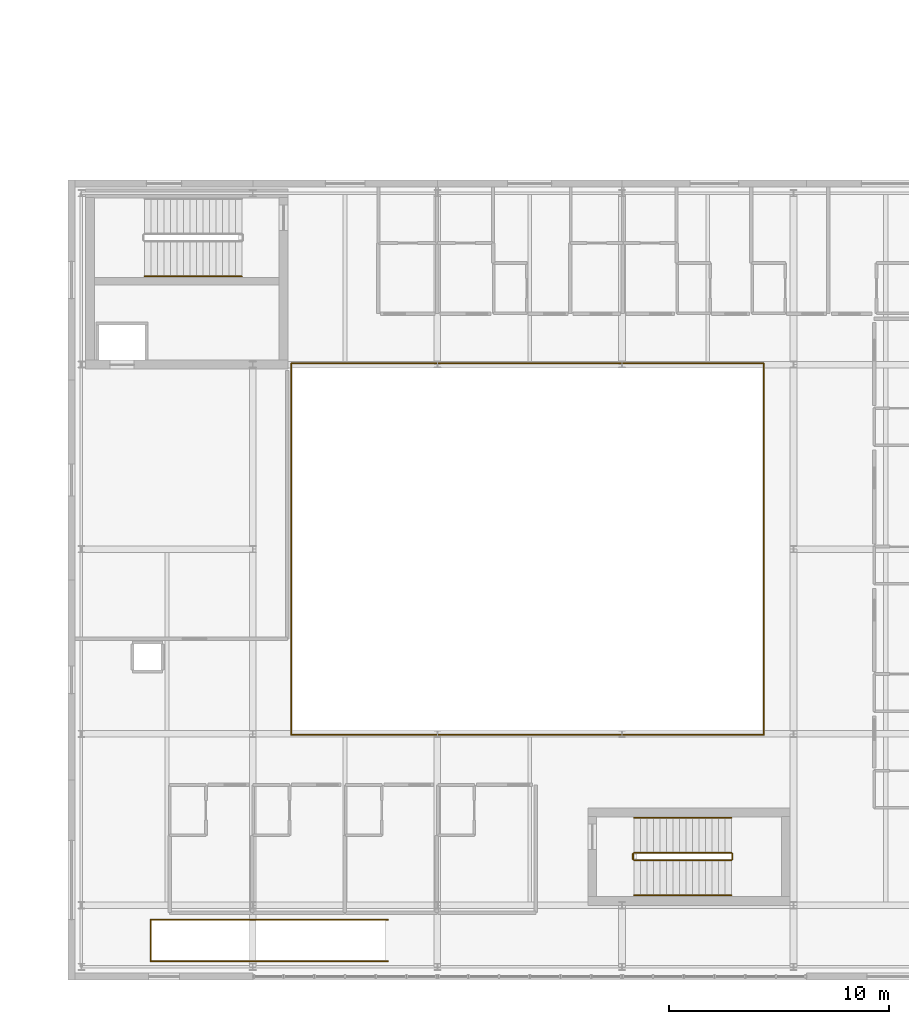
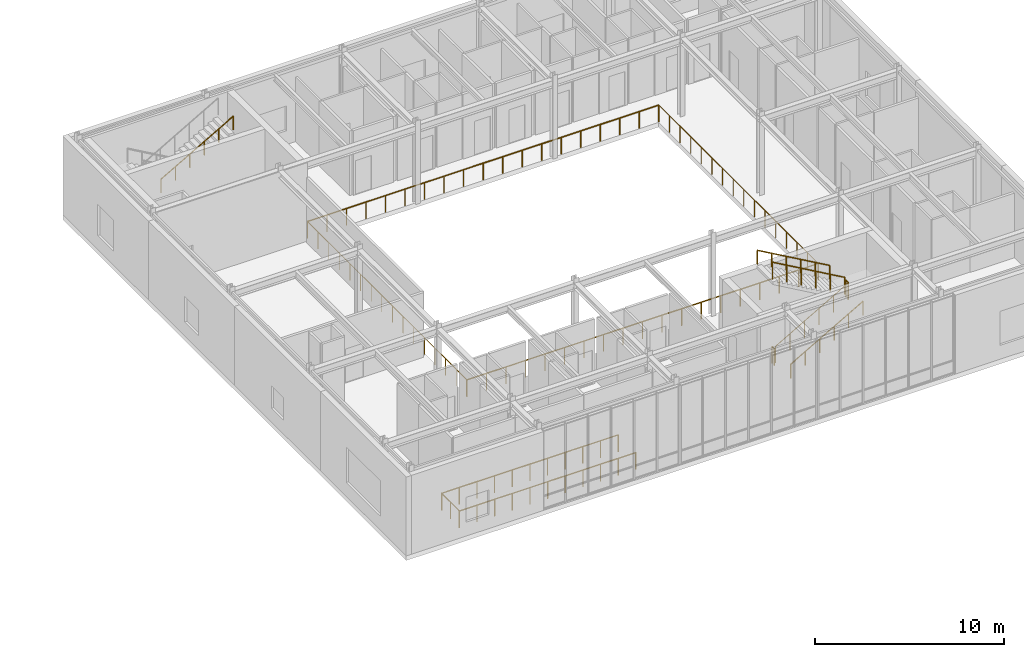
# One storey, part 135 of 139: 14 railings.
"""IFC4 building model written with IfcOpenShell, lengths in metres."""

from ifc_helpers import new_model, si_unit, direction, frame, origin, origin_2d, place, context, subcontext, project, spatial, circle, extrude, material, type_object, element, save


model = new_model("IFC4")

# Units and contexts
model_context = context("Model", 3, precision=1e-05, world=origin(), true_north=direction((0.0, 1.0)))
body_context = subcontext(model_context, "Body", "Model", "MODEL_VIEW")
ifc_project = project(units=[si_unit("LENGTHUNIT", "METRE"), si_unit("AREAUNIT", "SQUARE_METRE"), si_unit("VOLUMEUNIT", "CUBIC_METRE"), si_unit("PLANEANGLEUNIT", "RADIAN"), si_unit("MASSUNIT", "GRAM", prefix="KILO")], contexts=[model_context])

# Site, building, storey
site_placement = place(None, origin())
site = spatial("IfcSite", under=ifc_project, at=site_placement, CompositionType="ELEMENT")
building_placement = place(site_placement, origin())
building = spatial("IfcBuilding", under=site, at=building_placement, Name="Zayran Congress Hotel", CompositionType="ELEMENT")
storey_placement = place(building_placement, frame((0.0, 0.0, 5.39990234375)))
storey = spatial("IfcBuildingStorey", under=building, at=storey_placement, Name="L01", CompositionType="ELEMENT", Elevation=5.39990234375)

# Railings
ifc_material_1 = material(Name="Painted steel balustrade", Category="steel")
railing_type_1 = type_object("IfcRailingType", Name="TP-GRD-INT", PredefinedType="GUARDRAIL", material=ifc_material_1)
railing_1_placement = place(storey_placement, frame((176.949951171875, 11.449951171875, 0.1689453125)))
element("IfcRailing", 1, at=railing_1_placement, inside=storey, type_object=railing_type_1, Name="L01 ST-12 stair guard 1", PredefinedType="GUARDRAIL", context=body_context, shape_type="SweptSolid", body=[
    extrude(circle(Radius=0.02392578125, at=origin_2d()), frame((0.0, 0.0, 1.076171875), z_axis=(0.868019072493, 0.0, 0.49653085482), x_axis=(0.0, 1.0, 0.0)), (0.0, 0.0, 1.0), 5.097900390625),
    extrude(circle(Radius=0.02099609375, at=origin_2d()), origin(), (0.0, 0.0, 1.0), 1.052001953125),
    extrude(circle(Radius=0.02099609375, at=origin_2d()), frame((0.885009765625, 0.0, 0.50634765625)), (0.0, 0.0, 1.0), 1.052001953125),
    extrude(circle(Radius=0.02099609375, at=origin_2d()), frame((1.77001953125, 0.0, 1.012451171875)), (0.0, 0.0, 1.0), 1.052001953125),
    extrude(circle(Radius=0.02099609375, at=origin_2d()), frame((2.655029296875, 0.0, 1.518798828125)), (0.0, 0.0, 1.0), 1.052001953125),
    extrude(circle(Radius=0.02099609375, at=origin_2d()), frame((3.5400390625, 0.0, 2.02490234375)), (0.0, 0.0, 1.0), 1.052001953125),
    extrude(circle(Radius=0.02099609375, at=origin_2d()), frame((4.425048828125, 0.0, 2.53125)), (0.0, 0.0, 1.0), 1.052001953125),
])
railing_2_placement = place(storey_placement, frame((181.425048828125, 11.5, 2.7001953125)))
element("IfcRailing", 2, at=railing_2_placement, inside=storey, type_object=railing_type_1, Name="L01 ST-12 stair guard 2", PredefinedType="GUARDRAIL", context=body_context, shape_type="SweptSolid", body=[
    extrude(circle(Radius=0.02392578125, at=origin_2d()), frame((0.0, 0.0, 1.076171875), z_axis=(0.0, 1.0, 0.0), x_axis=(-1.0, 0.0, 0.0)), (0.0, 0.0, 1.0), 0.239990234375),
    extrude(circle(Radius=0.02099609375, at=origin_2d()), origin(), (0.0, 0.0, 1.0), 1.052001953125),
    extrude(circle(Radius=0.02099609375, at=origin_2d()), frame((0.0, 0.239990234375, 0.0)), (0.0, 0.0, 1.0), 1.052001953125),
])
railing_3_placement = place(storey_placement, frame((181.375, 11.7900390625, 2.868896484375)))
element("IfcRailing", 3, at=railing_3_placement, inside=storey, type_object=railing_type_1, Name="L01 ST-12 stair guard 3", PredefinedType="GUARDRAIL", context=body_context, shape_type="SweptSolid", body=[
    extrude(circle(Radius=0.02392578125, at=origin_2d()), frame((0.0, 0.0, 1.076171875), z_axis=(-0.868019072493, 0.0, 0.49653085482), x_axis=(0.0, -1.0, 0.0)), (0.0, 0.0, 1.0), 5.097900390625),
    extrude(circle(Radius=0.02099609375, at=origin_2d()), origin(), (0.0, 0.0, 1.0), 1.052001953125),
    extrude(circle(Radius=0.02099609375, at=origin_2d()), frame((-0.885009765625, 0.0, 0.50634765625)), (0.0, 0.0, 1.0), 1.052001953125),
    extrude(circle(Radius=0.02099609375, at=origin_2d()), frame((-1.77001953125, 0.0, 1.012451171875)), (0.0, 0.0, 1.0), 1.052001953125),
    extrude(circle(Radius=0.02099609375, at=origin_2d()), frame((-2.655029296875, 0.0, 1.518798828125)), (0.0, 0.0, 1.0), 1.052001953125),
    extrude(circle(Radius=0.02099609375, at=origin_2d()), frame((-3.5400390625, 0.0, 2.02490234375)), (0.0, 0.0, 1.0), 1.052001953125),
    extrude(circle(Radius=0.02099609375, at=origin_2d()), frame((-4.425048828125, 0.0, 2.53125)), (0.0, 0.0, 1.0), 1.052001953125),
])
railing_4_placement = place(storey_placement, frame((176.89990234375, 11.5, 0.0)))
element("IfcRailing", 4, at=railing_4_placement, inside=storey, type_object=railing_type_1, Name="L01 ST-12 stair guard 4", PredefinedType="GUARDRAIL", context=body_context, shape_type="SweptSolid", body=[
    extrude(circle(Radius=0.02392578125, at=origin_2d()), frame((0.0, 0.0, 1.076171875), z_axis=(0.0, 1.0, 0.0), x_axis=(-1.0, 0.0, 0.0)), (0.0, 0.0, 1.0), 0.239990234375),
    extrude(circle(Radius=0.02099609375, at=origin_2d()), origin(), (0.0, 0.0, 1.0), 1.052001953125),
    extrude(circle(Radius=0.02099609375, at=origin_2d()), frame((0.0, 0.239990234375, 0.0)), (0.0, 0.0, 1.0), 1.052001953125),
])
railing_5_placement = place(storey_placement, frame((165.75, 8.739990234375, 0.0)))
element("IfcRailing", 5, at=railing_5_placement, inside=storey, type_object=railing_type_1, Name="GRD-VOMWELL-05-WL", PredefinedType="GUARDRAIL", context=body_context, shape_type="SweptSolid", body=[
    extrude(circle(Radius=0.02392578125, at=origin_2d()), frame((0.0, 0.0, 1.076171875), z_axis=(-1.0, 0.0, 0.0), x_axis=(0.0, -1.0, 0.0)), (0.0, 0.0, 1.0), 10.800048828125),
    extrude(circle(Radius=0.02099609375, at=origin_2d()), origin(), (0.0, 0.0, 1.0), 1.052001953125),
    extrude(circle(Radius=0.02099609375, at=origin_2d()), frame((-1.080078125, 0.0, 0.0)), (0.0, 0.0, 1.0), 1.052001953125),
    extrude(circle(Radius=0.02099609375, at=origin_2d()), frame((-2.159912109375, 0.0, 0.0)), (0.0, 0.0, 1.0), 1.052001953125),
    extrude(circle(Radius=0.02099609375, at=origin_2d()), frame((-3.239990234375, 0.0, 0.0)), (0.0, 0.0, 1.0), 1.052001953125),
    extrude(circle(Radius=0.02099609375, at=origin_2d()), frame((-4.320068359375, 0.0, 0.0)), (0.0, 0.0, 1.0), 1.052001953125),
    extrude(circle(Radius=0.02099609375, at=origin_2d()), frame((-5.39990234375, 0.0, 0.0)), (0.0, 0.0, 1.0), 1.052001953125),
    extrude(circle(Radius=0.02099609375, at=origin_2d()), frame((-6.47998046875, 0.0, 0.0)), (0.0, 0.0, 1.0), 1.052001953125),
    extrude(circle(Radius=0.02099609375, at=origin_2d()), frame((-7.56005859375, 0.0, 0.0)), (0.0, 0.0, 1.0), 1.052001953125),
    extrude(circle(Radius=0.02099609375, at=origin_2d()), frame((-8.64013671875, 0.0, 0.0)), (0.0, 0.0, 1.0), 1.052001953125),
    extrude(circle(Radius=0.02099609375, at=origin_2d()), frame((-9.719970703125, 0.0, 0.0)), (0.0, 0.0, 1.0), 1.052001953125),
    extrude(circle(Radius=0.02099609375, at=origin_2d()), frame((-10.800048828125, 0.0, 0.0)), (0.0, 0.0, 1.0), 1.052001953125),
])
railing_6_placement = place(storey_placement, frame((154.949951171875, 8.739990234375, 0.0)))
element("IfcRailing", 6, at=railing_6_placement, inside=storey, type_object=railing_type_1, Name="GRD-VOMWELL-05-WB", PredefinedType="GUARDRAIL", context=body_context, shape_type="SweptSolid", body=[
    extrude(circle(Radius=0.02392578125, at=origin_2d()), frame((0.0, 0.0, 1.076171875), z_axis=(0.0, -1.0, 0.0), x_axis=(1.0, 0.0, 0.0)), (0.0, 0.0, 1.0), 1.8798828125),
    extrude(circle(Radius=0.02099609375, at=origin_2d()), origin(), (0.0, 0.0, 1.0), 1.052001953125),
    extrude(circle(Radius=0.02099609375, at=origin_2d()), frame((0.0, -0.93994140625, 0.0)), (0.0, 0.0, 1.0), 1.052001953125),
    extrude(circle(Radius=0.02099609375, at=origin_2d()), frame((0.0, -1.8798828125, 0.0)), (0.0, 0.0, 1.0), 1.052001953125),
])
railing_7_placement = place(storey_placement, frame((154.949951171875, 6.860107421875, 0.0)))
element("IfcRailing", 7, at=railing_7_placement, inside=storey, type_object=railing_type_1, Name="GRD-VOMWELL-05-WR", PredefinedType="GUARDRAIL", context=body_context, shape_type="SweptSolid", body=[
    extrude(circle(Radius=0.02392578125, at=origin_2d()), frame((0.0, 0.0, 1.076171875), z_axis=(1.0, 0.0, 0.0), x_axis=(0.0, 1.0, 0.0)), (0.0, 0.0, 1.0), 10.800048828125),
    extrude(circle(Radius=0.02099609375, at=origin_2d()), origin(), (0.0, 0.0, 1.0), 1.052001953125),
    extrude(circle(Radius=0.02099609375, at=origin_2d()), frame((1.080078125, 0.0, 0.0)), (0.0, 0.0, 1.0), 1.052001953125),
    extrude(circle(Radius=0.02099609375, at=origin_2d()), frame((2.159912109375, 0.0, 0.0)), (0.0, 0.0, 1.0), 1.052001953125),
    extrude(circle(Radius=0.02099609375, at=origin_2d()), frame((3.239990234375, 0.0, 0.0)), (0.0, 0.0, 1.0), 1.052001953125),
    extrude(circle(Radius=0.02099609375, at=origin_2d()), frame((4.320068359375, 0.0, 0.0)), (0.0, 0.0, 1.0), 1.052001953125),
    extrude(circle(Radius=0.02099609375, at=origin_2d()), frame((5.39990234375, 0.0, 0.0)), (0.0, 0.0, 1.0), 1.052001953125),
    extrude(circle(Radius=0.02099609375, at=origin_2d()), frame((6.47998046875, 0.0, 0.0)), (0.0, 0.0, 1.0), 1.052001953125),
    extrude(circle(Radius=0.02099609375, at=origin_2d()), frame((7.56005859375, 0.0, 0.0)), (0.0, 0.0, 1.0), 1.052001953125),
    extrude(circle(Radius=0.02099609375, at=origin_2d()), frame((8.64013671875, 0.0, 0.0)), (0.0, 0.0, 1.0), 1.052001953125),
    extrude(circle(Radius=0.02099609375, at=origin_2d()), frame((9.719970703125, 0.0, 0.0)), (0.0, 0.0, 1.0), 1.052001953125),
    extrude(circle(Radius=0.02099609375, at=origin_2d()), frame((10.800048828125, 0.0, 0.0)), (0.0, 0.0, 1.0), 1.052001953125),
])
railing_8_placement = place(storey_placement, frame((161.35009765625, 17.14990234375, 0.0)))
element("IfcRailing", 8, at=railing_8_placement, inside=storey, type_object=railing_type_1, Name="V3 L01 Interior Void Guardrail V3-L01-POL-S", PredefinedType="GUARDRAIL", context=body_context, shape_type="SweptSolid", body=[
    extrude(circle(Radius=0.02392578125, at=origin_2d()), frame((0.0, 0.0, 1.076171875), z_axis=(1.0, 0.0, 0.0), x_axis=(0.0, 1.0, 0.0)), (0.0, 0.0, 1.0), 21.5),
    extrude(circle(Radius=0.02099609375, at=origin_2d()), origin(), (0.0, 0.0, 1.0), 1.052001953125),
    extrude(circle(Radius=0.02099609375, at=origin_2d()), frame((1.1943359375, 0.0, 0.0)), (0.0, 0.0, 1.0), 1.052001953125),
    extrude(circle(Radius=0.02099609375, at=origin_2d()), frame((2.388916015625, 0.0, 0.0)), (0.0, 0.0, 1.0), 1.052001953125),
    extrude(circle(Radius=0.02099609375, at=origin_2d()), frame((3.583251953125, 0.0, 0.0)), (0.0, 0.0, 1.0), 1.052001953125),
    extrude(circle(Radius=0.02099609375, at=origin_2d()), frame((4.77783203125, 0.0, 0.0)), (0.0, 0.0, 1.0), 1.052001953125),
    extrude(circle(Radius=0.02099609375, at=origin_2d()), frame((5.97216796875, 0.0, 0.0)), (0.0, 0.0, 1.0), 1.052001953125),
    extrude(circle(Radius=0.02099609375, at=origin_2d()), frame((7.166748046875, 0.0, 0.0)), (0.0, 0.0, 1.0), 1.052001953125),
    extrude(circle(Radius=0.02099609375, at=origin_2d()), frame((8.361083984375, 0.0, 0.0)), (0.0, 0.0, 1.0), 1.052001953125),
    extrude(circle(Radius=0.02099609375, at=origin_2d()), frame((9.5556640625, 0.0, 0.0)), (0.0, 0.0, 1.0), 1.052001953125),
    extrude(circle(Radius=0.02099609375, at=origin_2d()), frame((10.75, 0.0, 0.0)), (0.0, 0.0, 1.0), 1.052001953125),
    extrude(circle(Radius=0.02099609375, at=origin_2d()), frame((11.9443359375, 0.0, 0.0)), (0.0, 0.0, 1.0), 1.052001953125),
    extrude(circle(Radius=0.02099609375, at=origin_2d()), frame((13.138916015625, 0.0, 0.0)), (0.0, 0.0, 1.0), 1.052001953125),
    extrude(circle(Radius=0.02099609375, at=origin_2d()), frame((14.333251953125, 0.0, 0.0)), (0.0, 0.0, 1.0), 1.052001953125),
    extrude(circle(Radius=0.02099609375, at=origin_2d()), frame((15.52783203125, 0.0, 0.0)), (0.0, 0.0, 1.0), 1.052001953125),
    extrude(circle(Radius=0.02099609375, at=origin_2d()), frame((16.72216796875, 0.0, 0.0)), (0.0, 0.0, 1.0), 1.052001953125),
    extrude(circle(Radius=0.02099609375, at=origin_2d()), frame((17.916748046875, 0.0, 0.0)), (0.0, 0.0, 1.0), 1.052001953125),
    extrude(circle(Radius=0.02099609375, at=origin_2d()), frame((19.111083984375, 0.0, 0.0)), (0.0, 0.0, 1.0), 1.052001953125),
    extrude(circle(Radius=0.02099609375, at=origin_2d()), frame((20.3056640625, 0.0, 0.0)), (0.0, 0.0, 1.0), 1.052001953125),
    extrude(circle(Radius=0.02099609375, at=origin_2d()), frame((21.5, 0.0, 0.0)), (0.0, 0.0, 1.0), 1.052001953125),
])
railing_9_placement = place(storey_placement, frame((182.85009765625, 17.14990234375, 0.0)))
element("IfcRailing", 9, at=railing_9_placement, inside=storey, type_object=railing_type_1, Name="V3 L01 Interior Void Guardrail V3-L01-POL-E", PredefinedType="GUARDRAIL", context=body_context, shape_type="SweptSolid", body=[
    extrude(circle(Radius=0.02392578125, at=origin_2d()), frame((0.0, 0.0, 1.076171875), z_axis=(0.0, 1.0, 0.0), x_axis=(-1.0, 0.0, 0.0)), (0.0, 0.0, 1.0), 16.900146484375),
    extrude(circle(Radius=0.02099609375, at=origin_2d()), origin(), (0.0, 0.0, 1.0), 1.052001953125),
    extrude(circle(Radius=0.02099609375, at=origin_2d()), frame((0.0, 1.126708984375, 0.0)), (0.0, 0.0, 1.0), 1.052001953125),
    extrude(circle(Radius=0.02099609375, at=origin_2d()), frame((0.0, 2.25341796875, 0.0)), (0.0, 0.0, 1.0), 1.052001953125),
    extrude(circle(Radius=0.02099609375, at=origin_2d()), frame((0.0, 3.380126953125, 0.0)), (0.0, 0.0, 1.0), 1.052001953125),
    extrude(circle(Radius=0.02099609375, at=origin_2d()), frame((0.0, 4.506591796875, 0.0)), (0.0, 0.0, 1.0), 1.052001953125),
    extrude(circle(Radius=0.02099609375, at=origin_2d()), frame((0.0, 5.63330078125, 0.0)), (0.0, 0.0, 1.0), 1.052001953125),
    extrude(circle(Radius=0.02099609375, at=origin_2d()), frame((0.0, 6.760009765625, 0.0)), (0.0, 0.0, 1.0), 1.052001953125),
    extrude(circle(Radius=0.02099609375, at=origin_2d()), frame((0.0, 7.88671875, 0.0)), (0.0, 0.0, 1.0), 1.052001953125),
    extrude(circle(Radius=0.02099609375, at=origin_2d()), frame((0.0, 9.013427734375, 0.0)), (0.0, 0.0, 1.0), 1.052001953125),
    extrude(circle(Radius=0.02099609375, at=origin_2d()), frame((0.0, 10.14013671875, 0.0)), (0.0, 0.0, 1.0), 1.052001953125),
    extrude(circle(Radius=0.02099609375, at=origin_2d()), frame((0.0, 11.266845703125, 0.0)), (0.0, 0.0, 1.0), 1.052001953125),
    extrude(circle(Radius=0.02099609375, at=origin_2d()), frame((0.0, 12.3935546875, 0.0)), (0.0, 0.0, 1.0), 1.052001953125),
    extrude(circle(Radius=0.02099609375, at=origin_2d()), frame((0.0, 13.52001953125, 0.0)), (0.0, 0.0, 1.0), 1.052001953125),
    extrude(circle(Radius=0.02099609375, at=origin_2d()), frame((0.0, 14.646728515625, 0.0)), (0.0, 0.0, 1.0), 1.052001953125),
    extrude(circle(Radius=0.02099609375, at=origin_2d()), frame((0.0, 15.7734375, 0.0)), (0.0, 0.0, 1.0), 1.052001953125),
    extrude(circle(Radius=0.02099609375, at=origin_2d()), frame((0.0, 16.900146484375, 0.0)), (0.0, 0.0, 1.0), 1.052001953125),
])
railing_10_placement = place(storey_placement, frame((182.85009765625, 34.050048828125, 0.0)))
element("IfcRailing", 10, at=railing_10_placement, inside=storey, type_object=railing_type_1, Name="V3 L01 Interior Void Guardrail V3-L01-POL-N", PredefinedType="GUARDRAIL", context=body_context, shape_type="SweptSolid", body=[
    extrude(circle(Radius=0.02392578125, at=origin_2d()), frame((0.0, 0.0, 1.076171875), z_axis=(-1.0, 0.0, 0.0), x_axis=(0.0, -1.0, 0.0)), (0.0, 0.0, 1.0), 21.5),
    extrude(circle(Radius=0.02099609375, at=origin_2d()), origin(), (0.0, 0.0, 1.0), 1.052001953125),
    extrude(circle(Radius=0.02099609375, at=origin_2d()), frame((-1.1943359375, 0.0, 0.0)), (0.0, 0.0, 1.0), 1.052001953125),
    extrude(circle(Radius=0.02099609375, at=origin_2d()), frame((-2.388916015625, 0.0, 0.0)), (0.0, 0.0, 1.0), 1.052001953125),
    extrude(circle(Radius=0.02099609375, at=origin_2d()), frame((-3.583251953125, 0.0, 0.0)), (0.0, 0.0, 1.0), 1.052001953125),
    extrude(circle(Radius=0.02099609375, at=origin_2d()), frame((-4.77783203125, 0.0, 0.0)), (0.0, 0.0, 1.0), 1.052001953125),
    extrude(circle(Radius=0.02099609375, at=origin_2d()), frame((-5.97216796875, 0.0, 0.0)), (0.0, 0.0, 1.0), 1.052001953125),
    extrude(circle(Radius=0.02099609375, at=origin_2d()), frame((-7.166748046875, 0.0, 0.0)), (0.0, 0.0, 1.0), 1.052001953125),
    extrude(circle(Radius=0.02099609375, at=origin_2d()), frame((-8.361083984375, 0.0, 0.0)), (0.0, 0.0, 1.0), 1.052001953125),
    extrude(circle(Radius=0.02099609375, at=origin_2d()), frame((-9.5556640625, 0.0, 0.0)), (0.0, 0.0, 1.0), 1.052001953125),
    extrude(circle(Radius=0.02099609375, at=origin_2d()), frame((-10.75, 0.0, 0.0)), (0.0, 0.0, 1.0), 1.052001953125),
    extrude(circle(Radius=0.02099609375, at=origin_2d()), frame((-11.9443359375, 0.0, 0.0)), (0.0, 0.0, 1.0), 1.052001953125),
    extrude(circle(Radius=0.02099609375, at=origin_2d()), frame((-13.138916015625, 0.0, 0.0)), (0.0, 0.0, 1.0), 1.052001953125),
    extrude(circle(Radius=0.02099609375, at=origin_2d()), frame((-14.333251953125, 0.0, 0.0)), (0.0, 0.0, 1.0), 1.052001953125),
    extrude(circle(Radius=0.02099609375, at=origin_2d()), frame((-15.52783203125, 0.0, 0.0)), (0.0, 0.0, 1.0), 1.052001953125),
    extrude(circle(Radius=0.02099609375, at=origin_2d()), frame((-16.72216796875, 0.0, 0.0)), (0.0, 0.0, 1.0), 1.052001953125),
    extrude(circle(Radius=0.02099609375, at=origin_2d()), frame((-17.916748046875, 0.0, 0.0)), (0.0, 0.0, 1.0), 1.052001953125),
    extrude(circle(Radius=0.02099609375, at=origin_2d()), frame((-19.111083984375, 0.0, 0.0)), (0.0, 0.0, 1.0), 1.052001953125),
    extrude(circle(Radius=0.02099609375, at=origin_2d()), frame((-20.3056640625, 0.0, 0.0)), (0.0, 0.0, 1.0), 1.052001953125),
    extrude(circle(Radius=0.02099609375, at=origin_2d()), frame((-21.5, 0.0, 0.0)), (0.0, 0.0, 1.0), 1.052001953125),
])
railing_11_placement = place(storey_placement, frame((161.35009765625, 34.050048828125, 0.0)))
element("IfcRailing", 11, at=railing_11_placement, inside=storey, type_object=railing_type_1, Name="V3 L01 Interior Void Guardrail V3-L01-POL-W", PredefinedType="GUARDRAIL", context=body_context, shape_type="SweptSolid", body=[
    extrude(circle(Radius=0.02392578125, at=origin_2d()), frame((0.0, 0.0, 1.076171875), z_axis=(0.0, -1.0, 0.0), x_axis=(1.0, 0.0, 0.0)), (0.0, 0.0, 1.0), 16.900146484375),
    extrude(circle(Radius=0.02099609375, at=origin_2d()), origin(), (0.0, 0.0, 1.0), 1.052001953125),
    extrude(circle(Radius=0.02099609375, at=origin_2d()), frame((0.0, -1.126708984375, 0.0)), (0.0, 0.0, 1.0), 1.052001953125),
    extrude(circle(Radius=0.02099609375, at=origin_2d()), frame((0.0, -2.25341796875, 0.0)), (0.0, 0.0, 1.0), 1.052001953125),
    extrude(circle(Radius=0.02099609375, at=origin_2d()), frame((0.0, -3.380126953125, 0.0)), (0.0, 0.0, 1.0), 1.052001953125),
    extrude(circle(Radius=0.02099609375, at=origin_2d()), frame((0.0, -4.506591796875, 0.0)), (0.0, 0.0, 1.0), 1.052001953125),
    extrude(circle(Radius=0.02099609375, at=origin_2d()), frame((0.0, -5.63330078125, 0.0)), (0.0, 0.0, 1.0), 1.052001953125),
    extrude(circle(Radius=0.02099609375, at=origin_2d()), frame((0.0, -6.760009765625, 0.0)), (0.0, 0.0, 1.0), 1.052001953125),
    extrude(circle(Radius=0.02099609375, at=origin_2d()), frame((0.0, -7.88671875, 0.0)), (0.0, 0.0, 1.0), 1.052001953125),
    extrude(circle(Radius=0.02099609375, at=origin_2d()), frame((0.0, -9.013427734375, 0.0)), (0.0, 0.0, 1.0), 1.052001953125),
    extrude(circle(Radius=0.02099609375, at=origin_2d()), frame((0.0, -10.14013671875, 0.0)), (0.0, 0.0, 1.0), 1.052001953125),
    extrude(circle(Radius=0.02099609375, at=origin_2d()), frame((0.0, -11.266845703125, 0.0)), (0.0, 0.0, 1.0), 1.052001953125),
    extrude(circle(Radius=0.02099609375, at=origin_2d()), frame((0.0, -12.3935546875, 0.0)), (0.0, 0.0, 1.0), 1.052001953125),
    extrude(circle(Radius=0.02099609375, at=origin_2d()), frame((0.0, -13.52001953125, 0.0)), (0.0, 0.0, 1.0), 1.052001953125),
    extrude(circle(Radius=0.02099609375, at=origin_2d()), frame((0.0, -14.646728515625, 0.0)), (0.0, 0.0, 1.0), 1.052001953125),
    extrude(circle(Radius=0.02099609375, at=origin_2d()), frame((0.0, -15.7734375, 0.0)), (0.0, 0.0, 1.0), 1.052001953125),
    extrude(circle(Radius=0.02099609375, at=origin_2d()), frame((0.0, -16.900146484375, 0.0)), (0.0, 0.0, 1.0), 1.052001953125),
])
ifc_material_2 = material(Name="Brushed stainless steel handrail", Category="steel")
railing_type_2 = type_object("IfcRailingType", Name="TP-HND-STR", PredefinedType="HANDRAIL", material=ifc_material_2)
for number, where, name in (
    (12, (154.675048828125, 38.010009765625, 2.868896484375), "L01 ST-11 stair handrail 2"),
    (13, (176.949951171875, 9.85009765625, 0.1689453125), "L01 ST-12 stair handrail 1"),
):
    element("IfcRailing", number, at=place(storey_placement, frame(where)), inside=storey, type_object=railing_type_2, Name=name, PredefinedType="HANDRAIL", context=body_context, shape_type="SweptSolid", body=[
        extrude(circle(Radius=0.02392578125, at=origin_2d()), frame((0.0, 0.0, 0.8759765625), z_axis=(0.868019072493, 0.0, 0.49653085482), x_axis=(0.0, 1.0, 0.0)), (0.0, 0.0, 1.0), 5.097900390625),
        extrude(circle(Radius=0.02099609375, at=origin_2d()), origin(), (0.0, 0.0, 1.0), 0.851806640625),
        extrude(circle(Radius=0.02099609375, at=origin_2d()), frame((0.885009765625, 0.0, 0.50634765625)), (0.0, 0.0, 1.0), 0.851806640625),
        extrude(circle(Radius=0.02099609375, at=origin_2d()), frame((1.77001953125, 0.0, 1.012451171875)), (0.0, 0.0, 1.0), 0.851806640625),
        extrude(circle(Radius=0.02099609375, at=origin_2d()), frame((2.655029296875, 0.0, 1.518798828125)), (0.0, 0.0, 1.0), 0.851806640625),
        extrude(circle(Radius=0.02099609375, at=origin_2d()), frame((3.5400390625, 0.0, 2.02490234375)), (0.0, 0.0, 1.0), 0.851806640625),
        extrude(circle(Radius=0.02099609375, at=origin_2d()), frame((4.425048828125, 0.0, 2.53125)), (0.0, 0.0, 1.0), 0.851806640625),
    ])
railing_12_placement = place(storey_placement, frame((181.375, 13.389892578125, 2.868896484375)))
element("IfcRailing", 14, at=railing_12_placement, inside=storey, type_object=railing_type_2, Name="L01 ST-12 stair handrail 2", PredefinedType="HANDRAIL", context=body_context, shape_type="SweptSolid", body=[
    extrude(circle(Radius=0.02392578125, at=origin_2d()), frame((0.0, 0.0, 0.8759765625), z_axis=(-0.868019072493, 0.0, 0.49653085482), x_axis=(0.0, -1.0, 0.0)), (0.0, 0.0, 1.0), 5.097900390625),
    extrude(circle(Radius=0.02099609375, at=origin_2d()), origin(), (0.0, 0.0, 1.0), 0.851806640625),
    extrude(circle(Radius=0.02099609375, at=origin_2d()), frame((-0.885009765625, 0.0, 0.50634765625)), (0.0, 0.0, 1.0), 0.851806640625),
    extrude(circle(Radius=0.02099609375, at=origin_2d()), frame((-1.77001953125, 0.0, 1.012451171875)), (0.0, 0.0, 1.0), 0.851806640625),
    extrude(circle(Radius=0.02099609375, at=origin_2d()), frame((-2.655029296875, 0.0, 1.518798828125)), (0.0, 0.0, 1.0), 0.851806640625),
    extrude(circle(Radius=0.02099609375, at=origin_2d()), frame((-3.5400390625, 0.0, 2.02490234375)), (0.0, 0.0, 1.0), 0.851806640625),
    extrude(circle(Radius=0.02099609375, at=origin_2d()), frame((-4.425048828125, 0.0, 2.53125)), (0.0, 0.0, 1.0), 0.851806640625),
])

save(model, "model.ifc")
